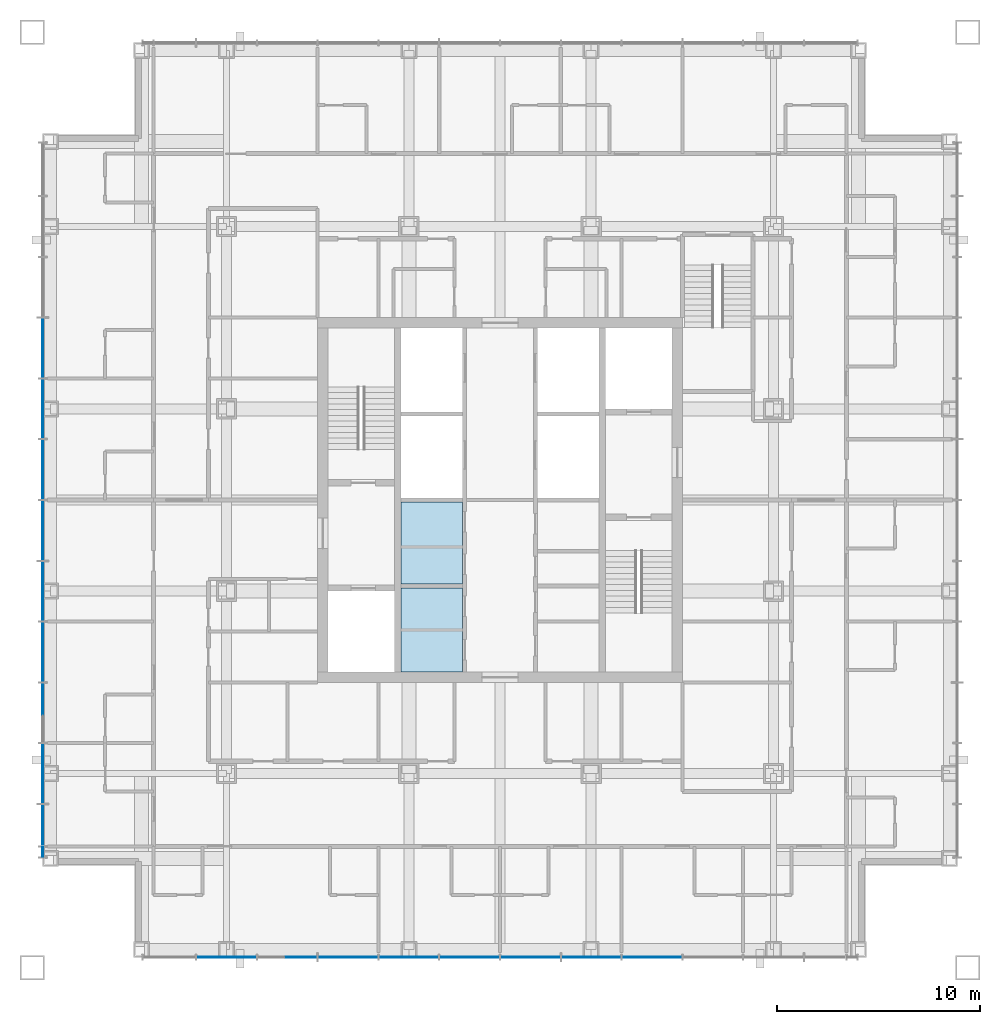
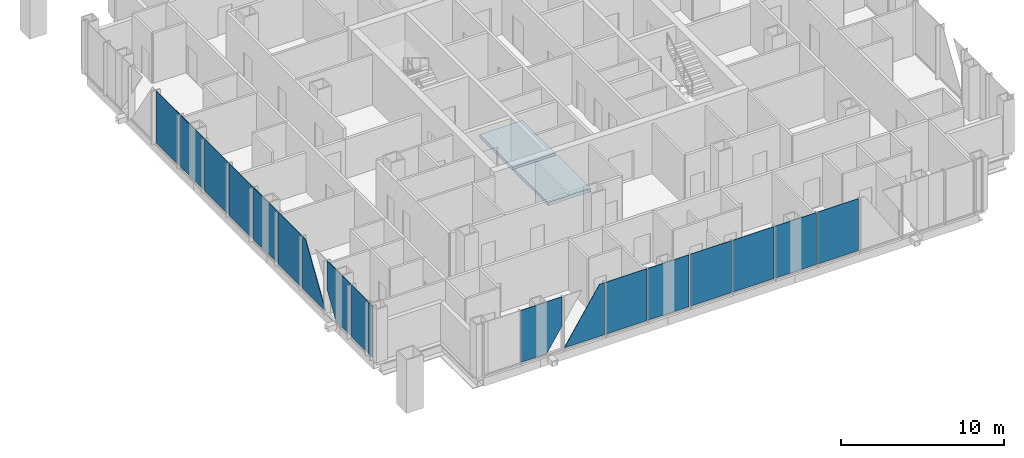
# One storey, part 7 of 18: 18 plates, 2 slabs, 2 elements without a shape of their own.
"""IFC4 building model written with IfcOpenShell, lengths in metres."""

from ifc_helpers import new_model, si_unit, direction, frame, origin, origin_2d, place, context, subcontext, project, spatial, polyline, rectangle, outline, extrude, material, layer, layer_set, type_object, element, aggregate, save


model = new_model("IFC4")

# Units and contexts
model_context = context("Model", 3, precision=1e-05, world=origin(), true_north=direction((0.0, 1.0)))
body_context = subcontext(model_context, "Body", "Model", "MODEL_VIEW")
ifc_project = project(units=[si_unit("LENGTHUNIT", "METRE"), si_unit("AREAUNIT", "SQUARE_METRE"), si_unit("VOLUMEUNIT", "CUBIC_METRE"), si_unit("PLANEANGLEUNIT", "RADIAN"), si_unit("MASSUNIT", "GRAM", prefix="KILO")], contexts=[model_context])

# Site, building, storey
site_placement = place(None, origin())
site = spatial("IfcSite", under=ifc_project, at=site_placement, CompositionType="ELEMENT")
building_placement = place(site_placement, origin())
building = spatial("IfcBuilding", under=site, at=building_placement, Name="Malebo Sky Hospital", CompositionType="ELEMENT")
storey_placement = place(building_placement, frame((0.0, 0.0, 225.0)))
storey = spatial("IfcBuildingStorey", under=building, at=storey_placement, Name="L54", CompositionType="ELEMENT", Elevation=225.0)

# Slabs
ifc_material_1 = material(Name="Concrete C40/50", Category="concrete")
ifc_layer_1 = layer(ifc_material_1, 0.25)
ifc_layer_set_1 = layer_set([ifc_layer_1], Name="SHAFT INFILL SLAB 250")
slab_type = type_object("IfcSlabType", Name="SHAFT INFILL SLAB 250", PredefinedType="FLOOR", material=ifc_layer_set_1)
slab_1_placement = place(storey_placement, frame((0.0, 0.0, -0.25)))
element("IfcSlab", 1, at=slab_1_placement, inside=storey, type_object=slab_type, Name="Shaft infill slab W1 L54", PredefinedType="FLOOR", context=body_context, shape_type="SweptSolid", body=[
    extrude(outline(polyline([(55.10009765625, 53.5), (58.14990234375, 53.5), (58.14990234375, 57.64990234375), (55.10009765625, 57.64990234375), (55.10009765625, 53.5)])), origin(), (0.0, 0.0, 1.0), 0.25),
])
slab_2_placement = place(storey_placement, frame((0.0, 0.0, -0.25)))
element("IfcSlab", 2, at=slab_2_placement, inside=storey, type_object=slab_type, Name="Shaft infill slab W2 L54", PredefinedType="FLOOR", context=body_context, shape_type="SweptSolid", body=[
    extrude(outline(polyline([(55.10009765625, 57.85009765625), (58.14990234375, 57.85009765625), (58.14990234375, 61.89990234375), (55.10009765625, 61.89990234375), (55.10009765625, 57.85009765625)])), origin(), (0.0, 0.0, 1.0), 0.25),
])

# Curtain wall, plates
ifc_material_2 = material(Name="Anodised aluminium, natural silver", Category="aluminium")
ifc_layer_2 = layer(ifc_material_2, 0.25)
ifc_layer_set_2 = layer_set([ifc_layer_2], Name="WARD CURTAIN WALL EAST AND WEST")
curtain_wall_type_1 = type_object("IfcCurtainWallType", Name="WARD CURTAIN WALL EAST AND WEST", PredefinedType="NOTDEFINED", material=ifc_layer_set_2)
curtain_wall_1_placement = place(storey_placement, origin())
curtain_wall_1 = element("IfcCurtainWall", 3, at=curtain_wall_1_placement, inside=storey, type_object=curtain_wall_type_1, Name="EW curtain wall W", PredefinedType="NOTDEFINED")
ifc_material_3 = material(Name="Clear low-iron double glazing", Category="glass")
ifc_layer_3 = layer(ifc_material_3, 0.031982421875)
ifc_layer_set_3 = layer_set([ifc_layer_3], Name="VISION PANEL CLEAR 32")
plate_type = type_object("IfcPlateType", Name="VISION PANEL CLEAR 32", PredefinedType="CURTAIN_PANEL", material=ifc_layer_set_3)
plate_1_placement = place(storey_placement, frame((37.425048828125, 44.61865234375, 0.10009765625), z_axis=(0.0, 0.0, 1.0), x_axis=(0.0, 1.0, 0.0)))
plate_1 = element("IfcPlate", 4, at=plate_1_placement, type_object=plate_type, Name="Panel 1", PredefinedType="CURTAIN_PANEL", context=body_context, shape_type="SweptSolid", body=[
    extrude(rectangle(XDim=0.487548828125, YDim=0.031982421875, at=origin_2d()), origin(), (0.0, 0.0, 1.0), 3.889892578125),
])
plate_2_placement = place(storey_placement, frame((37.425048828125, 45.949951171875, 0.10009765625), z_axis=(0.0, 0.0, 1.0), x_axis=(0.0, 1.0, 0.0)))
plate_2 = element("IfcPlate", 5, at=plate_2_placement, type_object=plate_type, Name="Panel 2", PredefinedType="CURTAIN_PANEL", context=body_context, shape_type="SweptSolid", body=[
    extrude(rectangle(XDim=2.02490234375, YDim=0.031982421875, at=origin_2d()), origin(), (0.0, 0.0, 1.0), 3.889892578125),
])
plate_3_placement = place(storey_placement, frame((37.425048828125, 48.5, 0.10009765625), z_axis=(0.0, 0.0, 1.0), x_axis=(0.0, 1.0, 0.0)))
plate_3 = element("IfcPlate", 6, at=plate_3_placement, type_object=plate_type, Name="Panel 3", PredefinedType="CURTAIN_PANEL", context=body_context, shape_type="SweptSolid", body=[
    extrude(outline(polyline([(-1.46240234375, 0.0), (0.363037109375, 0.0), (1.46240234375, 1.71337890625), (1.46240234375, 3.889892578125), (-1.46240234375, 3.889892578125), (-1.46240234375, 0.0)])), frame((0.0, 0.01611328125, 0.0), z_axis=(0.0, -1.0, 0.0), x_axis=(1.0, 0.0, 0.0)), (0.0, 0.0, 1.0), 0.031982421875),
])
plate_4_placement = place(storey_placement, frame((37.425048828125, 51.537109375, 0.10009765625), z_axis=(0.0, 0.0, 1.0), x_axis=(0.0, 1.0, 0.0)))
plate_4 = element("IfcPlate", 7, at=plate_4_placement, type_object=plate_type, Name="Panel 4", PredefinedType="CURTAIN_PANEL", context=body_context, shape_type="SweptSolid", body=[
    extrude(outline(polyline([(-1.42529296875, 0.0), (1.42529296875, 0.0), (1.42529296875, 3.889892578125), (1.07080078125, 3.889892578125), (-1.42529296875, 0.0)])), frame((0.0, 0.01611328125, 0.0), z_axis=(0.0, -1.0, 0.0), x_axis=(1.0, 0.0, 0.0)), (0.0, 0.0, 1.0), 0.031982421875),
])
plate_5_placement = place(storey_placement, frame((37.425048828125, 54.5, 0.10009765625), z_axis=(0.0, 0.0, 1.0), x_axis=(0.0, 1.0, 0.0)))
plate_5 = element("IfcPlate", 8, at=plate_5_placement, type_object=plate_type, Name="Panel 5", PredefinedType="CURTAIN_PANEL", context=body_context, shape_type="SweptSolid", body=[
    extrude(rectangle(XDim=2.925048828125, YDim=0.031982421875, at=origin_2d()), origin(), (0.0, 0.0, 1.0), 3.889892578125),
])
plate_6_placement = place(storey_placement, frame((37.425048828125, 57.5, 0.10009765625), z_axis=(0.0, 0.0, 1.0), x_axis=(0.0, 1.0, 0.0)))
plate_6 = element("IfcPlate", 9, at=plate_6_placement, type_object=plate_type, Name="Panel 6", PredefinedType="CURTAIN_PANEL", context=body_context, shape_type="SweptSolid", body=[
    extrude(rectangle(XDim=2.925048828125, YDim=0.031982421875, at=origin_2d()), origin(), (0.0, 0.0, 1.0), 3.889892578125),
])
plate_7_placement = place(storey_placement, frame((37.425048828125, 60.5, 0.10009765625), z_axis=(0.0, 0.0, 1.0), x_axis=(0.0, 1.0, 0.0)))
plate_7 = element("IfcPlate", 10, at=plate_7_placement, type_object=plate_type, Name="Panel 7", PredefinedType="CURTAIN_PANEL", context=body_context, shape_type="SweptSolid", body=[
    extrude(rectangle(XDim=2.925048828125, YDim=0.031982421875, at=origin_2d()), origin(), (0.0, 0.0, 1.0), 3.889892578125),
])
plate_8_placement = place(storey_placement, frame((37.425048828125, 63.5, 0.10009765625), z_axis=(0.0, 0.0, 1.0), x_axis=(0.0, 1.0, 0.0)))
plate_8 = element("IfcPlate", 11, at=plate_8_placement, type_object=plate_type, Name="Panel 8", PredefinedType="CURTAIN_PANEL", context=body_context, shape_type="SweptSolid", body=[
    extrude(rectangle(XDim=2.925048828125, YDim=0.031982421875, at=origin_2d()), origin(), (0.0, 0.0, 1.0), 3.889892578125),
])
plate_9_placement = place(storey_placement, frame((37.425048828125, 66.5, 0.10009765625), z_axis=(0.0, 0.0, 1.0), x_axis=(0.0, 1.0, 0.0)))
plate_9 = element("IfcPlate", 12, at=plate_9_placement, type_object=plate_type, Name="Panel 9", PredefinedType="CURTAIN_PANEL", context=body_context, shape_type="SweptSolid", body=[
    extrude(rectangle(XDim=2.925048828125, YDim=0.031982421875, at=origin_2d()), origin(), (0.0, 0.0, 1.0), 3.889892578125),
])
plate_10_placement = place(storey_placement, frame((37.425048828125, 69.5, 0.10009765625), z_axis=(0.0, 0.0, 1.0), x_axis=(0.0, 1.0, 0.0)))
plate_10 = element("IfcPlate", 13, at=plate_10_placement, type_object=plate_type, Name="Panel 10", PredefinedType="CURTAIN_PANEL", context=body_context, shape_type="SweptSolid", body=[
    extrude(rectangle(XDim=2.925048828125, YDim=0.031982421875, at=origin_2d()), origin(), (0.0, 0.0, 1.0), 3.889892578125),
])
aggregate(curtain_wall_1, [plate_1, plate_2, plate_3, plate_4, plate_5, plate_6, plate_7, plate_8, plate_9, plate_10])

ifc_layer_4 = layer(ifc_material_2, 0.25)
ifc_layer_set_4 = layer_set([ifc_layer_4], Name="WARD CURTAIN WALL NORTH AND SOUTH")
curtain_wall_type_2 = type_object("IfcCurtainWallType", Name="WARD CURTAIN WALL NORTH AND SOUTH", PredefinedType="NOTDEFINED", material=ifc_layer_set_4)
curtain_wall_2_placement = place(storey_placement, origin())
curtain_wall_2 = element("IfcCurtainWall", 14, at=curtain_wall_2_placement, inside=storey, type_object=curtain_wall_type_2, Name="NS curtain wall S", PredefinedType="NOTDEFINED")
plate_11_placement = place(storey_placement, frame((67.5, 39.425048828125, 0.10009765625), z_axis=(0.0, 0.0, 1.0), x_axis=(-1.0, 0.0, 0.0)))
plate_11 = element("IfcPlate", 15, at=plate_11_placement, type_object=plate_type, Name="Panel 5", PredefinedType="CURTAIN_PANEL", context=body_context, shape_type="SweptSolid", body=[
    extrude(rectangle(XDim=2.925048828125, YDim=0.031982421875, at=origin_2d()), origin(), (0.0, 0.0, 1.0), 3.889892578125),
])
plate_12_placement = place(storey_placement, frame((64.5, 39.425048828125, 0.10009765625), z_axis=(0.0, 0.0, 1.0), x_axis=(-1.0, 0.0, 0.0)))
plate_12 = element("IfcPlate", 16, at=plate_12_placement, type_object=plate_type, Name="Panel 6", PredefinedType="CURTAIN_PANEL", context=body_context, shape_type="SweptSolid", body=[
    extrude(rectangle(XDim=2.925048828125, YDim=0.031982421875, at=origin_2d()), origin(), (0.0, 0.0, 1.0), 3.889892578125),
])
plate_13_placement = place(storey_placement, frame((61.5, 39.425048828125, 0.10009765625), z_axis=(0.0, 0.0, 1.0), x_axis=(-1.0, 0.0, 0.0)))
plate_13 = element("IfcPlate", 17, at=plate_13_placement, type_object=plate_type, Name="Panel 7", PredefinedType="CURTAIN_PANEL", context=body_context, shape_type="SweptSolid", body=[
    extrude(rectangle(XDim=2.925048828125, YDim=0.031982421875, at=origin_2d()), origin(), (0.0, 0.0, 1.0), 3.889892578125),
])
plate_14_placement = place(storey_placement, frame((58.5, 39.425048828125, 0.10009765625), z_axis=(0.0, 0.0, 1.0), x_axis=(-1.0, 0.0, 0.0)))
plate_14 = element("IfcPlate", 18, at=plate_14_placement, type_object=plate_type, Name="Panel 8", PredefinedType="CURTAIN_PANEL", context=body_context, shape_type="SweptSolid", body=[
    extrude(rectangle(XDim=2.925048828125, YDim=0.031982421875, at=origin_2d()), origin(), (0.0, 0.0, 1.0), 3.889892578125),
])
plate_15_placement = place(storey_placement, frame((55.5, 39.425048828125, 0.10009765625), z_axis=(0.0, 0.0, 1.0), x_axis=(-1.0, 0.0, 0.0)))
plate_15 = element("IfcPlate", 19, at=plate_15_placement, type_object=plate_type, Name="Panel 9", PredefinedType="CURTAIN_PANEL", context=body_context, shape_type="SweptSolid", body=[
    extrude(rectangle(XDim=2.925048828125, YDim=0.031982421875, at=origin_2d()), origin(), (0.0, 0.0, 1.0), 3.889892578125),
])
plate_16_placement = place(storey_placement, frame((52.5, 39.425048828125, 0.10009765625), z_axis=(0.0, 0.0, 1.0), x_axis=(-1.0, 0.0, 0.0)))
plate_16 = element("IfcPlate", 20, at=plate_16_placement, type_object=plate_type, Name="Panel 10", PredefinedType="CURTAIN_PANEL", context=body_context, shape_type="SweptSolid", body=[
    extrude(rectangle(XDim=2.925048828125, YDim=0.031982421875, at=origin_2d()), origin(), (0.0, 0.0, 1.0), 3.889892578125),
])
plate_17_placement = place(storey_placement, frame((49.537109375, 39.425048828125, 0.10009765625), z_axis=(0.0, 0.0, 1.0), x_axis=(-1.0, 0.0, 0.0)))
plate_17 = element("IfcPlate", 21, at=plate_17_placement, type_object=plate_type, Name="Panel 11", PredefinedType="CURTAIN_PANEL", context=body_context, shape_type="SweptSolid", body=[
    extrude(outline(polyline([(-1.42529296875, 0.0), (1.42529296875, 0.0), (-1.07080078125, 3.889892578125), (-1.42529296875, 3.889892578125), (-1.42529296875, 0.0)])), frame((0.0, 0.01611328125, 0.0), z_axis=(0.0, -1.0, 0.0), x_axis=(1.0, 0.0, 0.0)), (0.0, 0.0, 1.0), 0.031982421875),
])
plate_18_placement = place(storey_placement, frame((46.5, 39.425048828125, 0.10009765625), z_axis=(0.0, 0.0, 1.0), x_axis=(-1.0, 0.0, 0.0)))
plate_18 = element("IfcPlate", 22, at=plate_18_placement, type_object=plate_type, Name="Panel 12", PredefinedType="CURTAIN_PANEL", context=body_context, shape_type="SweptSolid", body=[
    extrude(outline(polyline([(-0.363037109375, 0.0), (1.46240234375, 0.0), (1.46240234375, 3.889892578125), (-1.46240234375, 3.889892578125), (-1.46240234375, 1.71337890625), (-0.363037109375, 0.0)])), frame((0.0, 0.01611328125, 0.0), z_axis=(0.0, -1.0, 0.0), x_axis=(1.0, 0.0, 0.0)), (0.0, 0.0, 1.0), 0.031982421875),
])
aggregate(curtain_wall_2, [plate_11, plate_12, plate_13, plate_14, plate_15, plate_16, plate_17, plate_18])

save(model, "model.ifc")
